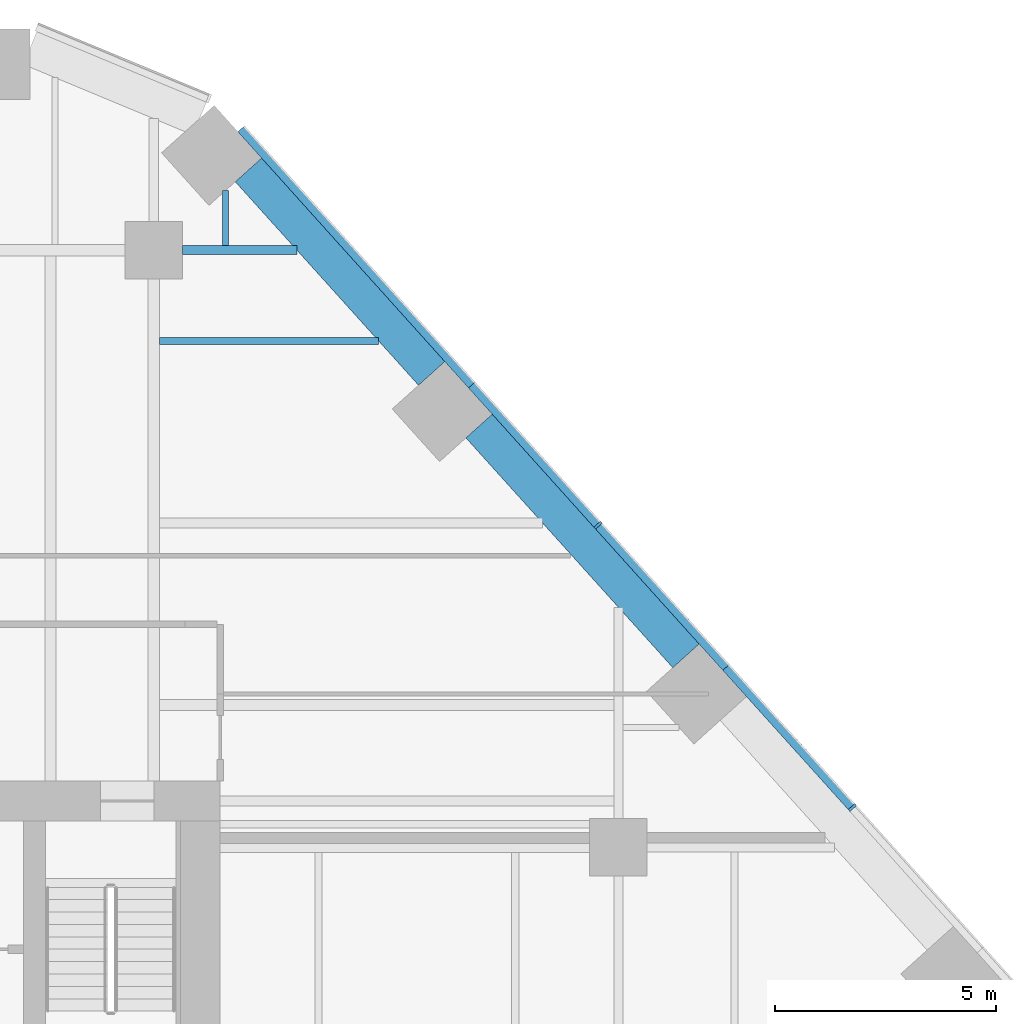
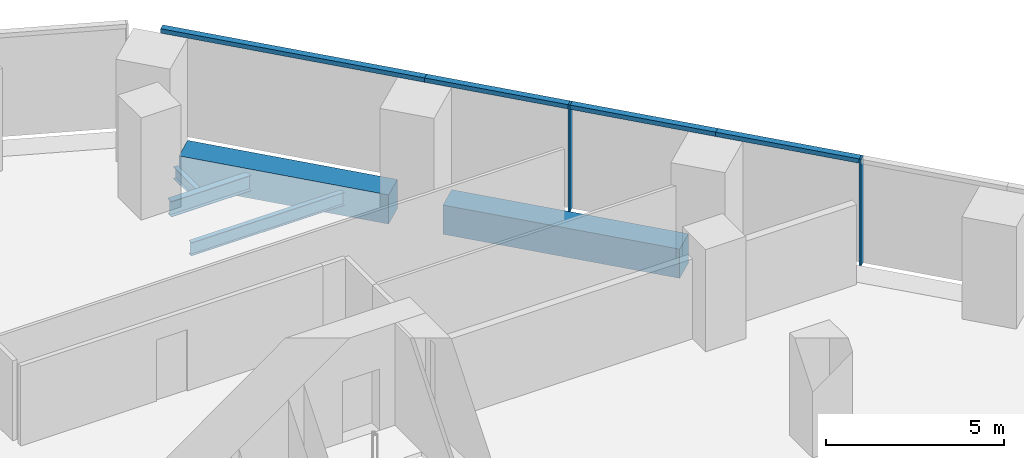
# One storey, part 10 of 19: 6 members, 5 beams, 1 element without a shape of its own.
"""IFC4 building model written with IfcOpenShell, lengths in metres."""

from ifc_helpers import new_model, si_unit, direction, frame, origin, origin_2d, place, context, subcontext, project, spatial, rectangle, i_section, extrude, material, layer, layer_set, material_profile, profile_set, type_object, element, aggregate, save


model = new_model("IFC4")

# Units and contexts
model_context = context("Model", 3, precision=1e-05, world=origin(), true_north=direction((0.0, 1.0)))
body_context = subcontext(model_context, "Body", "Model", "MODEL_VIEW")
ifc_project = project(units=[si_unit("LENGTHUNIT", "METRE"), si_unit("AREAUNIT", "SQUARE_METRE"), si_unit("VOLUMEUNIT", "CUBIC_METRE"), si_unit("PLANEANGLEUNIT", "RADIAN"), si_unit("MASSUNIT", "GRAM", prefix="KILO")], contexts=[model_context])

# Site, building, storey
site_placement = place(None, origin())
site = spatial("IfcSite", under=ifc_project, at=site_placement, CompositionType="ELEMENT")
building_placement = place(site_placement, origin())
building = spatial("IfcBuilding", under=site, at=building_placement, Name="Isthmus Gate Tower", CompositionType="ELEMENT")
storey_placement = place(building_placement, frame((0.0, 0.0, 87.949951171875)))
storey = spatial("IfcBuildingStorey", under=building, at=storey_placement, Name="L20", CompositionType="ELEMENT", Elevation=87.949951171875)

# Curtain wall, members
ifc_material_1 = material(Name="Aluminium, pale champagne anodised", Category="aluminium")
ifc_layer = layer(ifc_material_1, 0.199951171875)
ifc_layer_set = layer_set([ifc_layer], Name="CW-1 UNITISED CURTAIN WALL 200 DEEP")
curtain_wall_type = type_object("IfcCurtainWallType", Name="CW-1 UNITISED CURTAIN WALL 200 DEEP", PredefinedType="NOTDEFINED", material=ifc_layer_set)
curtain_wall_placement = place(storey_placement, origin())
curtain_wall = element("IfcCurtainWall", 1, at=curtain_wall_placement, inside=storey, type_object=curtain_wall_type, Name="CW-1 NE L20", PredefinedType="NOTDEFINED")
ifc_material_2 = material(Name="Aluminium, pale champagne anodised", Category="aluminium")
ifc_material_profile_1 = material_profile(ifc_material_2, rectangle(XDim=0.06005859375, YDim=0.199951171875, at=origin_2d()), Name="60x200")
ifc_profile_set_1 = profile_set([ifc_material_profile_1], Name="Aluminium, pale champagne anodised")
member_type_1 = type_object("IfcMemberType", Name="CW-1 MULLION 60 X 200", PredefinedType="MULLION", material=ifc_profile_set_1)
member_1_placement = place(storey_placement, frame((29.287841796875, 14.400146484375, 0.0), z_axis=(0.0, 0.0, 1.0), x_axis=(-0.669130606359, 0.743144825477, 0.0)))
member_1 = element("IfcMember", 2, at=member_1_placement, type_object=member_type_1, Name="CW-1 mullion", PredefinedType="MULLION", context=body_context, shape_type="SweptSolid", body=[
    extrude(rectangle(XDim=0.06005859375, YDim=0.199951171875, at=origin_2d()), origin(), (0.0, 0.0, 1.0), 3.650146484375),
])
member_2_placement = place(storey_placement, frame((23.54052734375, 20.783447265625, 0.0), z_axis=(0.0, 0.0, 1.0), x_axis=(-0.669130606359, 0.743144825477, 0.0)))
member_2 = element("IfcMember", 3, at=member_2_placement, type_object=member_type_1, Name="CW-1 mullion", PredefinedType="MULLION", context=body_context, shape_type="SweptSolid", body=[
    extrude(rectangle(XDim=0.06005859375, YDim=0.199951171875, at=origin_2d()), origin(), (0.0, 0.0, 1.0), 3.650146484375),
])
ifc_material_3 = material(Name="Aluminium, pale champagne anodised", Category="aluminium")
ifc_material_profile_2 = material_profile(ifc_material_3, rectangle(XDim=0.199951171875, YDim=0.14990234375, at=origin_2d()), Name="200x150")
ifc_profile_set_2 = profile_set([ifc_material_profile_2], Name="Aluminium, pale champagne anodised")
member_type_2 = type_object("IfcMemberType", Name="CW-1 TRANSOM 200 X 150", PredefinedType="USERDEFINED", material=ifc_profile_set_2)
member_3_placement = place(storey_placement, frame((29.267822265625, 14.422607421875, 3.574951171875), z_axis=(-0.669123979474, 0.743150792298, 0.0), x_axis=(-0.743150792298, -0.669123979474, 0.0)))
member_3 = element("IfcMember", 4, at=member_3_placement, type_object=member_type_2, Name="CW-1 transom", ObjectType="TRANSOM", PredefinedType="USERDEFINED", context=body_context, shape_type="SweptSolid", body=[
    extrude(rectangle(XDim=0.199951171875, YDim=0.14990234375, at=origin_2d()), origin(), (0.0, 0.0, 1.0), 4.234619140625),
])
member_4_placement = place(storey_placement, frame((26.434326171875, 17.569580078125, 3.574951171875), z_axis=(-0.669159437096, 0.743118865153, 0.0), x_axis=(-0.743118865153, -0.669159437096, 0.0)))
member_4 = element("IfcMember", 5, at=member_4_placement, type_object=member_type_2, Name="CW-1 transom", ObjectType="TRANSOM", PredefinedType="USERDEFINED", context=body_context, shape_type="SweptSolid", body=[
    extrude(rectangle(XDim=0.199951171875, YDim=0.14990234375, at=origin_2d()), origin(), (0.0, 0.0, 1.0), 4.294677734375),
])
member_5_placement = place(storey_placement, frame((23.520263671875, 20.8056640625, 3.574951171875), z_axis=(-0.669123979474, 0.743150792298, 0.0), x_axis=(-0.743150792298, -0.669123979474, 0.0)))
member_5 = element("IfcMember", 6, at=member_5_placement, type_object=member_type_2, Name="CW-1 transom", ObjectType="TRANSOM", PredefinedType="USERDEFINED", context=body_context, shape_type="SweptSolid", body=[
    extrude(rectangle(XDim=0.199951171875, YDim=0.14990234375, at=origin_2d()), origin(), (0.0, 0.0, 1.0), 4.234619140625),
])
member_6_placement = place(storey_placement, frame((20.686767578125, 23.95263671875, 3.574951171875), z_axis=(-0.669137878224, 0.743138277797, 0.0), x_axis=(-0.743138277797, -0.669137878224, 0.0)))
member_6 = element("IfcMember", 7, at=member_6_placement, type_object=member_type_2, Name="CW-1 transom", ObjectType="TRANSOM", PredefinedType="USERDEFINED", context=body_context, shape_type="SweptSolid", body=[
    extrude(rectangle(XDim=0.199951171875, YDim=0.14990234375, at=origin_2d()), origin(), (0.0, 0.0, 1.0), 7.789306640625),
])
aggregate(curtain_wall, [member_1, member_3, member_4, member_2, member_5, member_6])

# Beams
ifc_material_4 = material(Name="Concrete f'c 70 MPa", Category="concrete")
ifc_material_profile_3 = material_profile(ifc_material_4, rectangle(XDim=0.800048828125, YDim=1.0, at=origin_2d()), Name="RC 800X1000")
ifc_profile_set_3 = profile_set([ifc_material_profile_3], Name="Concrete f'c 70 MPa")
beam_type_1 = type_object("IfcBeamType", Name="RC SPANDREL 800 X 1000", PredefinedType="SPANDREL", material=ifc_profile_set_3)
beam_1_placement = place(storey_placement, frame((15.638427734375, 28.812255859375, -0.5), z_axis=(0.669139054219, -0.743137218903, 0.0), x_axis=(0.743137218903, 0.669139054219, 0.0)))
element("IfcBeam", 8, at=beam_1_placement, inside=storey, type_object=beam_type_1, Name="str-spandrel-L20-01", PredefinedType="SPANDREL", context=body_context, shape_type="SweptSolid", body=[
    extrude(rectangle(XDim=0.800048828125, YDim=1.0, at=origin_2d()), origin(), (0.0, 0.0, 1.0), 6.189453125),
])
beam_2_placement = place(storey_placement, frame((20.8505859375, 23.0234375, -0.5), z_axis=(0.669128753615, -0.743146493691, 0.0), x_axis=(0.743146493691, 0.669128753615, 0.0)))
element("IfcBeam", 9, at=beam_2_placement, inside=storey, type_object=beam_type_1, Name="str-spandrel-L20-02", PredefinedType="SPANDREL", context=body_context, shape_type="SweptSolid", body=[
    extrude(rectangle(XDim=0.800048828125, YDim=1.0, at=origin_2d()), origin(), (0.0, 0.0, 1.0), 6.9892578125),
])
ifc_material_5 = material(Name="Structural steel ASTM A992 Gr 50", Category="steel")
ifc_material_profile_4 = material_profile(ifc_material_5, i_section(OverallWidth=0.1396484375, OverallDepth=0.4033203125, WebThickness=0.00634765625, FlangeThickness=0.010986328125, at=origin_2d()), Name="W16X31")
ifc_profile_set_4 = profile_set([ifc_material_profile_4], Name="Structural steel ASTM A992 Gr 50")
beam_type_2 = type_object("IfcBeamType", Name="STEEL FLOOR BEAM W16X31", PredefinedType="JOIST", material=ifc_profile_set_4)
beam_3_placement = place(storey_placement, frame((15.12109375, 27.104736328125, -0.3515625), z_axis=(0.0, 1.0, 0.0), x_axis=(-1.0, 0.0, 0.0)))
element("IfcBeam", 10, at=beam_3_placement, inside=storey, type_object=beam_type_2, Name="str-beam-L20-25-00", PredefinedType="JOIST", context=body_context, shape_type="SweptSolid", body=[
    extrude(i_section(OverallWidth=0.1396484375, OverallDepth=0.4033203125, WebThickness=0.00634765625, FlangeThickness=0.010986328125, at=origin_2d()), origin(), (0.0, 0.0, 1.0), 1.24169921875),
])
ifc_material_6 = material(Name="Structural steel ASTM A992 Gr 50", Category="steel")
ifc_material_profile_5 = material_profile(ifc_material_6, i_section(OverallWidth=0.15234375, OverallDepth=0.45068359375, WebThickness=0.0078125, FlangeThickness=0.010986328125, at=origin_2d()), Name="W18X35")
ifc_profile_set_5 = profile_set([ifc_material_profile_5], Name="Structural steel ASTM A992 Gr 50")
beam_type_3 = type_object("IfcBeamType", Name="STEEL FLOOR BEAM W18X35", PredefinedType="JOIST", material=ifc_profile_set_5)
beam_4_placement = place(storey_placement, frame((13.626953125, 24.944091796875, -0.375244140625), z_axis=(1.0, 0.0, 0.0), x_axis=(0.0, 1.0, 0.0)))
element("IfcBeam", 11, at=beam_4_placement, inside=storey, type_object=beam_type_3, Name="str-beam-L20-26-02", PredefinedType="JOIST", context=body_context, shape_type="SweptSolid", body=[
    extrude(i_section(OverallWidth=0.15234375, OverallDepth=0.45068359375, WebThickness=0.0078125, FlangeThickness=0.010986328125, at=origin_2d()), origin(), (0.0, 0.0, 1.0), 4.9560546875),
])
ifc_material_7 = material(Name="Structural steel ASTM A992 Gr 50", Category="steel")
ifc_material_profile_6 = material_profile(ifc_material_7, i_section(OverallWidth=0.20947265625, OverallDepth=0.533447265625, WebThickness=0.009521484375, FlangeThickness=0.015869140625, at=origin_2d()), Name="W21X62")
ifc_profile_set_6 = profile_set([ifc_material_profile_6], Name="Structural steel ASTM A992 Gr 50")
beam_type_4 = type_object("IfcBeamType", Name="STEEL GIRDER W21X62", PredefinedType="BEAM", material=ifc_profile_set_6)
beam_5_placement = place(storey_placement, frame((14.14990234375, 27.0, -0.416748046875), z_axis=(1.0, 0.0, 0.0), x_axis=(0.0, 1.0, 0.0)))
element("IfcBeam", 12, at=beam_5_placement, inside=storey, type_object=beam_type_4, Name="str-girder-L20-20", PredefinedType="BEAM", context=body_context, shape_type="SweptSolid", body=[
    extrude(i_section(OverallWidth=0.20947265625, OverallDepth=0.533447265625, WebThickness=0.009521484375, FlangeThickness=0.015869140625, at=origin_2d()), origin(), (0.0, 0.0, 1.0), 2.58203125),
])

save(model, "model.ifc")
